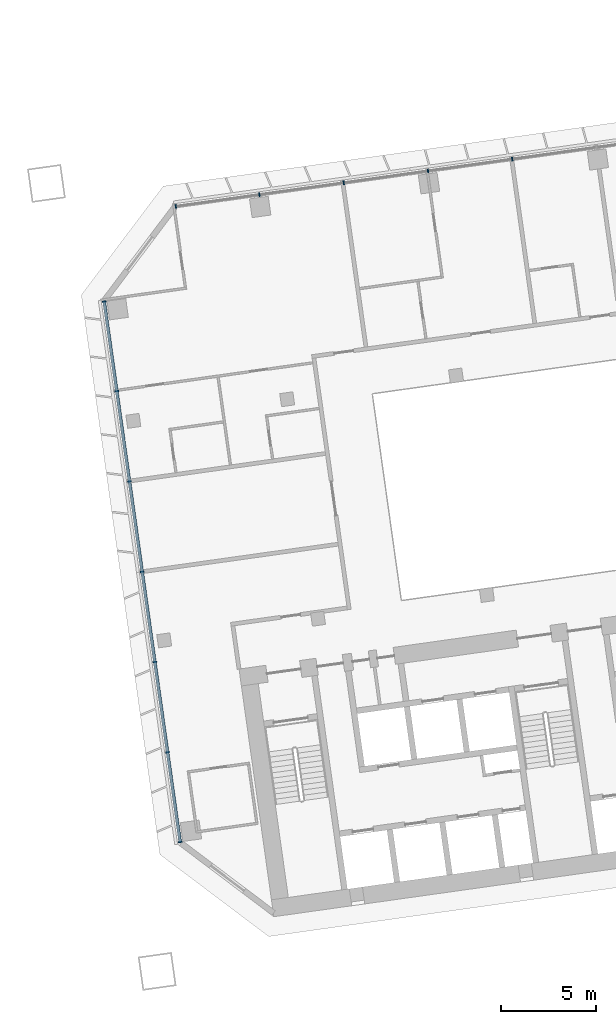
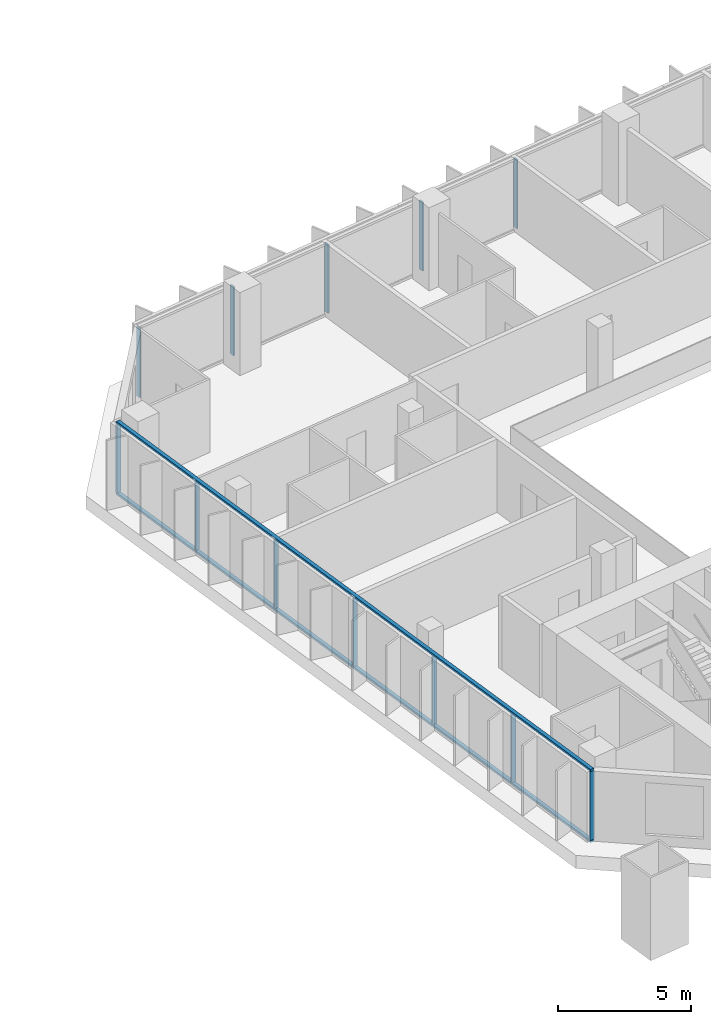
# One storey, part 7 of 24: 14 members, 2 elements without a shape of their own.
"""IFC4 building model written with IfcOpenShell, lengths in metres."""

from ifc_helpers import new_model, si_unit, direction, frame, origin, origin_2d, place, context, subcontext, project, spatial, rectangle, extrude, material, material_profile, profile_set, type_object, element, aggregate, save


model = new_model("IFC4")

# Units and contexts
model_context = context("Model", 3, precision=1e-05, world=origin(), true_north=direction((0.0, 1.0)))
body_context = subcontext(model_context, "Body", "Model", "MODEL_VIEW")
ifc_project = project(units=[si_unit("LENGTHUNIT", "METRE"), si_unit("AREAUNIT", "SQUARE_METRE"), si_unit("VOLUMEUNIT", "CUBIC_METRE"), si_unit("PLANEANGLEUNIT", "RADIAN"), si_unit("MASSUNIT", "GRAM", prefix="KILO")], contexts=[model_context])

# Site, building, storey
site_placement = place(None, origin())
site = spatial("IfcSite", under=ifc_project, at=site_placement, CompositionType="ELEMENT")
building_placement = place(site_placement, origin())
building = spatial("IfcBuilding", under=site, at=building_placement, Name="Mirante Cascada Hotel Towers", CompositionType="ELEMENT")
storey_placement = place(building_placement, frame((0.0, 0.0, 85.1)))
storey = spatial("IfcBuildingStorey", under=building, at=storey_placement, Name="L18", CompositionType="ELEMENT", Elevation=85.1)

# Curtain wall, members
ifc_material_1 = material(Name="Aluminium mullion and transom frame with clear laminated glass", Category="aluminium")
curtain_wall_type_1 = type_object("IfcCurtainWallType", Name="Ribbon curtain wall ECW1", PredefinedType="NOTDEFINED", material=ifc_material_1)
curtain_wall_1_placement = place(storey_placement, origin())
curtain_wall_1 = element("IfcCurtainWall", 1, at=curtain_wall_1_placement, inside=storey, type_object=curtain_wall_type_1, Name="Front ribbon wall T2 L18", PredefinedType="NOTDEFINED")
ifc_material_2 = material(Name="Anodised aluminium extrusion", Category="aluminium")
ifc_material_profile_1 = material_profile(ifc_material_2, rectangle(XDim=0.2, YDim=0.065, at=origin_2d()), Name="ECW1 MULLION 65x200")
ifc_profile_set_1 = profile_set([ifc_material_profile_1], Name="Anodised aluminium extrusion")
member_type_1 = type_object("IfcMemberType", Name="ECW1 mullion 65x200", PredefinedType="MULLION", material=ifc_profile_set_1)
member_1_placement = place(storey_placement, frame((49.684, 19.8017, 0.1), z_axis=(0.0, 0.0, 1.0), x_axis=(0.1391731, -0.9902681, 0.0)))
member_1 = element("IfcMember", 2, at=member_1_placement, type_object=member_type_1, Name="ECW1 mullion 11", PredefinedType="MULLION", context=body_context, shape_type="SweptSolid", body=[
    extrude(rectangle(XDim=0.2, YDim=0.065, at=origin_2d()), origin(), (0.0, 0.0, 1.0), 3.15),
])
member_2_placement = place(storey_placement, frame((45.2366, 19.1766, 0.1), z_axis=(0.0, 0.0, 1.0), x_axis=(0.1391731, -0.9902681, 0.0)))
member_2 = element("IfcMember", 3, at=member_2_placement, type_object=member_type_1, Name="ECW1 mullion 12", PredefinedType="MULLION", context=body_context, shape_type="SweptSolid", body=[
    extrude(rectangle(XDim=0.2, YDim=0.065, at=origin_2d()), origin(), (0.0, 0.0, 1.0), 3.15),
])
member_3_placement = place(storey_placement, frame((40.7892, 18.5516, 0.1), z_axis=(0.0, 0.0, 1.0), x_axis=(0.1391731, -0.9902681, 0.0)))
member_3 = element("IfcMember", 4, at=member_3_placement, type_object=member_type_1, Name="ECW1 mullion 13", PredefinedType="MULLION", context=body_context, shape_type="SweptSolid", body=[
    extrude(rectangle(XDim=0.2, YDim=0.065, at=origin_2d()), origin(), (0.0, 0.0, 1.0), 3.15),
])
member_4_placement = place(storey_placement, frame((36.3417, 17.9265, 0.1), z_axis=(0.0, 0.0, 1.0), x_axis=(0.1391731, -0.9902681, 0.0)))
member_4 = element("IfcMember", 5, at=member_4_placement, type_object=member_type_1, Name="ECW1 mullion 14", PredefinedType="MULLION", context=body_context, shape_type="SweptSolid", body=[
    extrude(rectangle(XDim=0.2, YDim=0.065, at=origin_2d()), origin(), (0.0, 0.0, 1.0), 3.15),
])
member_5_placement = place(storey_placement, frame((31.9265, 17.306, 0.1), z_axis=(0.0, 0.0, 1.0), x_axis=(0.1391731, -0.9902681, 0.0)))
member_5 = element("IfcMember", 6, at=member_5_placement, type_object=member_type_1, Name="ECW1 mullion 15", PredefinedType="MULLION", context=body_context, shape_type="SweptSolid", body=[
    extrude(rectangle(XDim=0.2, YDim=0.065, at=origin_2d()), origin(), (0.0, 0.0, 1.0), 3.15),
])
aggregate(curtain_wall_1, [member_1, member_2, member_3, member_4, member_5])

ifc_material_3 = material(Name="Aluminium mullion and transom frame with clear laminated glass", Category="aluminium")
curtain_wall_type_2 = type_object("IfcCurtainWallType", Name="End ribbon curtain wall ECW2", PredefinedType="NOTDEFINED", material=ifc_material_3)
curtain_wall_2_placement = place(storey_placement, origin())
curtain_wall_2 = element("IfcCurtainWall", 7, at=curtain_wall_2_placement, inside=storey, type_object=curtain_wall_type_2, Name="Inner end wall T2 L18", PredefinedType="NOTDEFINED")
ifc_material_4 = material(Name="Anodised aluminium extrusion", Category="aluminium")
ifc_material_profile_2 = material_profile(ifc_material_4, rectangle(XDim=0.2, YDim=0.065, at=origin_2d()), Name="ECW2 MULLION 65x200")
ifc_profile_set_2 = profile_set([ifc_material_profile_2], Name="Anodised aluminium extrusion")
member_type_2 = type_object("IfcMemberType", Name="ECW2 mullion 65x200", PredefinedType="MULLION", material=ifc_profile_set_2)
member_6_placement = place(storey_placement, frame((28.1437, 12.2861, 0.1), z_axis=(0.0, 0.0, 1.0), x_axis=(0.9902681, 0.1391731, 0.0)))
member_6 = element("IfcMember", 8, at=member_6_placement, type_object=member_type_2, Name="ECW2 mullion 1", PredefinedType="MULLION", context=body_context, shape_type="SweptSolid", body=[
    extrude(rectangle(XDim=0.2, YDim=0.065, at=origin_2d()), origin(), (0.0, 0.0, 1.0), 3.15),
])
member_7_placement = place(storey_placement, frame((28.809, 7.5524, 0.1), z_axis=(0.0, 0.0, 1.0), x_axis=(0.9902681, 0.1391731, 0.0)))
member_7 = element("IfcMember", 9, at=member_7_placement, type_object=member_type_2, Name="ECW2 mullion 2", PredefinedType="MULLION", context=body_context, shape_type="SweptSolid", body=[
    extrude(rectangle(XDim=0.2, YDim=0.065, at=origin_2d()), origin(), (0.0, 0.0, 1.0), 3.15),
])
member_8_placement = place(storey_placement, frame((29.4788, 2.7867, 0.1), z_axis=(0.0, 0.0, 1.0), x_axis=(0.9902681, 0.1391731, 0.0)))
member_8 = element("IfcMember", 10, at=member_8_placement, type_object=member_type_2, Name="ECW2 mullion 3", PredefinedType="MULLION", context=body_context, shape_type="SweptSolid", body=[
    extrude(rectangle(XDim=0.2, YDim=0.065, at=origin_2d()), origin(), (0.0, 0.0, 1.0), 3.15),
])
member_9_placement = place(storey_placement, frame((30.1485, -1.9791, 0.1), z_axis=(0.0, 0.0, 1.0), x_axis=(0.9902681, 0.1391731, 0.0)))
member_9 = element("IfcMember", 11, at=member_9_placement, type_object=member_type_2, Name="ECW2 mullion 4", PredefinedType="MULLION", context=body_context, shape_type="SweptSolid", body=[
    extrude(rectangle(XDim=0.2, YDim=0.065, at=origin_2d()), origin(), (0.0, 0.0, 1.0), 3.15),
])
member_10_placement = place(storey_placement, frame((30.8183, -6.7449, 0.1), z_axis=(0.0, 0.0, 1.0), x_axis=(0.9902681, 0.1391731, 0.0)))
member_10 = element("IfcMember", 12, at=member_10_placement, type_object=member_type_2, Name="ECW2 mullion 5", PredefinedType="MULLION", context=body_context, shape_type="SweptSolid", body=[
    extrude(rectangle(XDim=0.2, YDim=0.065, at=origin_2d()), origin(), (0.0, 0.0, 1.0), 3.15),
])
member_11_placement = place(storey_placement, frame((31.4881, -11.5107, 0.1), z_axis=(0.0, 0.0, 1.0), x_axis=(0.9902681, 0.1391731, 0.0)))
member_11 = element("IfcMember", 13, at=member_11_placement, type_object=member_type_2, Name="ECW2 mullion 6", PredefinedType="MULLION", context=body_context, shape_type="SweptSolid", body=[
    extrude(rectangle(XDim=0.2, YDim=0.065, at=origin_2d()), origin(), (0.0, 0.0, 1.0), 3.15),
])
member_12_placement = place(storey_placement, frame((32.1534, -16.2443, 0.1), z_axis=(0.0, 0.0, 1.0), x_axis=(0.9902681, 0.1391731, 0.0)))
member_12 = element("IfcMember", 14, at=member_12_placement, type_object=member_type_2, Name="ECW2 mullion 7", PredefinedType="MULLION", context=body_context, shape_type="SweptSolid", body=[
    extrude(rectangle(XDim=0.2, YDim=0.065, at=origin_2d()), origin(), (0.0, 0.0, 1.0), 3.15),
])
ifc_material_5 = material(Name="Anodised aluminium extrusion", Category="aluminium")
ifc_material_profile_3 = material_profile(ifc_material_5, rectangle(XDim=0.16, YDim=0.1, at=origin_2d()), Name="ECW2 TRANSOM 100x160")
ifc_profile_set_3 = profile_set([ifc_material_profile_3], Name="Anodised aluminium extrusion")
member_type_3 = type_object("IfcMemberType", Name="ECW2 transom 100x160", PredefinedType="USERDEFINED", material=ifc_profile_set_3)
member_13_placement = place(storey_placement, frame((28.1392, 12.3182, 0.05), z_axis=(0.1391723, -0.9902682, 0.0), x_axis=(0.9902682, 0.1391723, 0.0)))
member_13 = element("IfcMember", 15, at=member_13_placement, type_object=member_type_3, Name="ECW2 sill transom", ObjectType="TRANSOM", PredefinedType="USERDEFINED", context=body_context, shape_type="SweptSolid", body=[
    extrude(rectangle(XDim=0.16, YDim=0.1, at=origin_2d()), origin(), (0.0, 0.0, 1.0), 28.8757),
])
member_14_placement = place(storey_placement, frame((28.1392, 12.3182, 3.3), z_axis=(0.1391723, -0.9902682, 0.0), x_axis=(0.9902682, 0.1391723, 0.0)))
member_14 = element("IfcMember", 16, at=member_14_placement, type_object=member_type_3, Name="ECW2 head transom", ObjectType="TRANSOM", PredefinedType="USERDEFINED", context=body_context, shape_type="SweptSolid", body=[
    extrude(rectangle(XDim=0.16, YDim=0.1, at=origin_2d()), origin(), (0.0, 0.0, 1.0), 28.8757),
])
aggregate(curtain_wall_2, [member_13, member_14, member_6, member_7, member_8, member_9, member_10, member_11, member_12])

save(model, "model.ifc")
